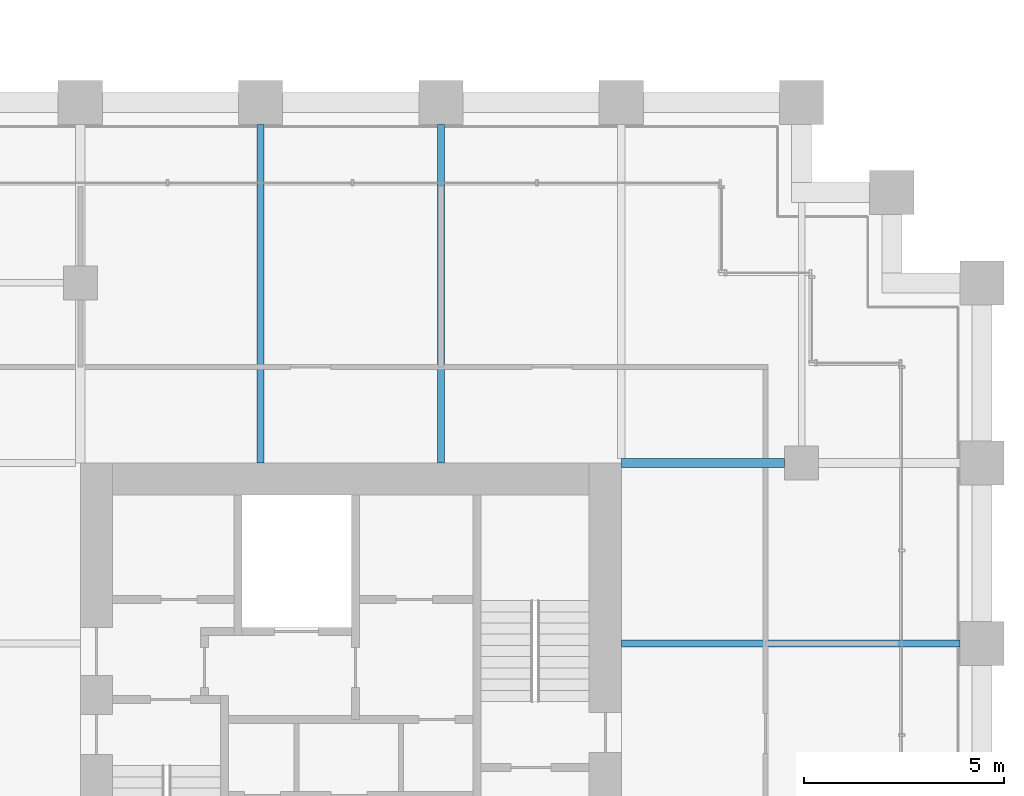
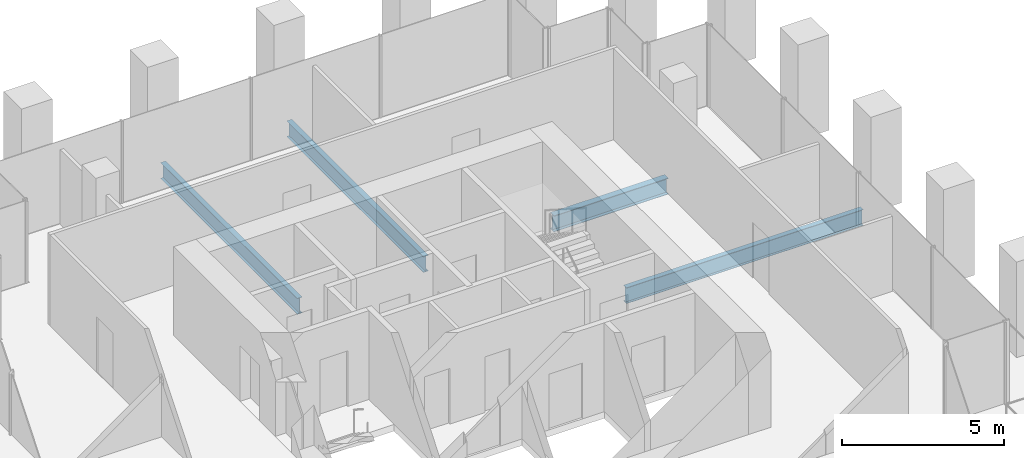
# One storey, part 43 of 56: 4 beams.
"""IFC4 building model written with IfcOpenShell, lengths in metres."""

from ifc_helpers import new_model, si_unit, direction, frame, origin, origin_2d, place, context, subcontext, project, spatial, i_section, extrude, material, material_profile, profile_set, type_object, element, save


model = new_model("IFC4")

# Units and contexts
model_context = context("Model", 3, precision=1e-05, world=origin(), true_north=direction((0.0, 1.0)))
body_context = subcontext(model_context, "Body", "Model", "MODEL_VIEW")
ifc_project = project(units=[si_unit("LENGTHUNIT", "METRE"), si_unit("AREAUNIT", "SQUARE_METRE"), si_unit("VOLUMEUNIT", "CUBIC_METRE"), si_unit("PLANEANGLEUNIT", "RADIAN"), si_unit("MASSUNIT", "GRAM", prefix="KILO")], contexts=[model_context])

# Site, building, storey
site_placement = place(None, origin())
site = spatial("IfcSite", under=ifc_project, at=site_placement, CompositionType="ELEMENT")
building_placement = place(site_placement, origin())
building = spatial("IfcBuilding", under=site, at=building_placement, Name="Altepetl Exchange Towers", CompositionType="ELEMENT")
storey_placement = place(building_placement, frame((0.0, 0.0, 69.0)))
storey = spatial("IfcBuildingStorey", under=building, at=storey_placement, Name="L16", CompositionType="ELEMENT", Elevation=69.0)

# Beams
ifc_material = material(Name="Steel S355", Category="steel")
ifc_material_profile_1 = material_profile(ifc_material, i_section(OverallWidth=0.177978515625, OverallDepth=0.59912109375, WebThickness=0.010009765625, FlangeThickness=0.0126953125, at=origin_2d()), Name="W24X55")
ifc_profile_set_1 = profile_set([ifc_material_profile_1], Name="Steel S355")
beam_type_1 = type_object("IfcBeamType", Name="Floor beam W24X55", PredefinedType="BEAM", material=ifc_profile_set_1)
for number, where, z_axis, x_axis, name in (
    (1, (108.0, 49.5, -0.449462890625), (0.0, 1.0, 0.0), (-1.0, 0.0, 0.0), "bm:B:L16:000"),
    (2, (112.5, 49.5, -0.449462890625), (0.0, 1.0, 0.0), (-1.0, 0.0, 0.0), "bm:B:L16:001"),
    (3, (117.0, 45.0, -0.449462890625), (1.0, 0.0, 0.0), (0.0, 1.0, 0.0), "bm:B:L16:007"),
):
    element("IfcBeam", number, at=place(storey_placement, frame(where, z_axis=z_axis, x_axis=x_axis)), inside=storey, type_object=beam_type_1, Name=name, PredefinedType="BEAM", context=body_context, shape_type="SweptSolid", body=[
        extrude(i_section(OverallWidth=0.177978515625, OverallDepth=0.59912109375, WebThickness=0.010009765625, FlangeThickness=0.0126953125, at=origin_2d()), origin(), (0.0, 0.0, 1.0), 8.449951171875),
    ])
ifc_material_profile_2 = material_profile(ifc_material, i_section(OverallWidth=0.22802734375, OverallDepth=0.60791015625, WebThickness=0.01123046875, FlangeThickness=0.017333984375, at=origin_2d()), Name="W24X76")
ifc_profile_set_2 = profile_set([ifc_material_profile_2], Name="Steel S355")
beam_type_2 = type_object("IfcBeamType", Name="Girder W24X76", PredefinedType="BEAM", material=ifc_profile_set_2)
beam_placement = place(storey_placement, frame((117.0, 49.5, -0.4541015625), z_axis=(1.0, 0.0, 0.0), x_axis=(0.0, 1.0, 0.0)))
element("IfcBeam", 4, at=beam_placement, inside=storey, type_object=beam_type_2, Name="gd:B:L16:000", PredefinedType="BEAM", context=body_context, shape_type="SweptSolid", body=[
    extrude(i_section(OverallWidth=0.22802734375, OverallDepth=0.60791015625, WebThickness=0.01123046875, FlangeThickness=0.017333984375, at=origin_2d()), origin(), (0.0, 0.0, 1.0), 4.074951171875),
])

save(model, "model.ifc")
